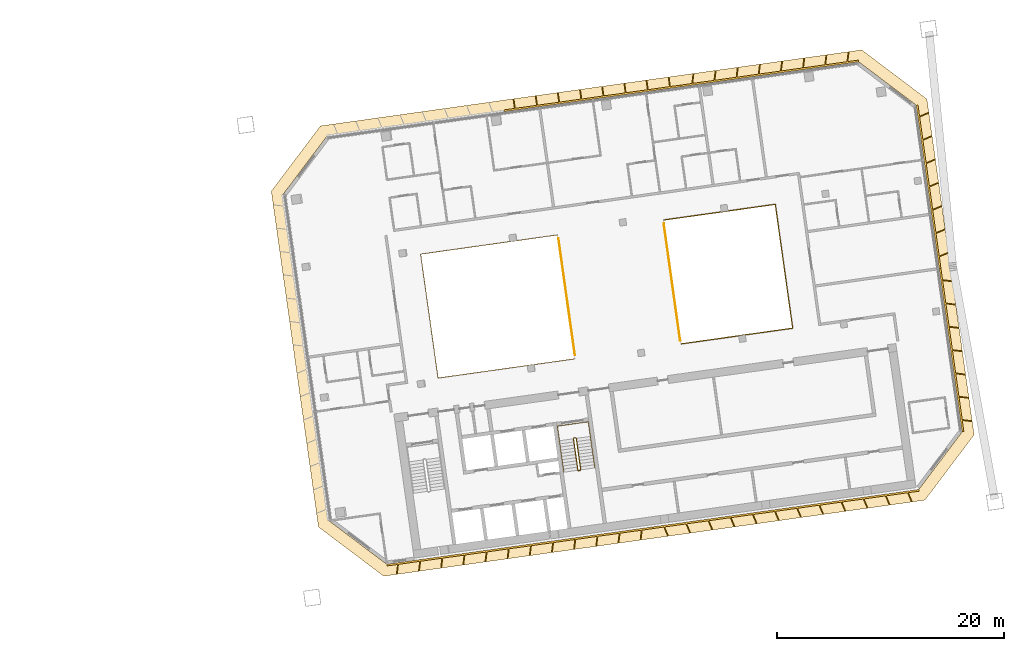
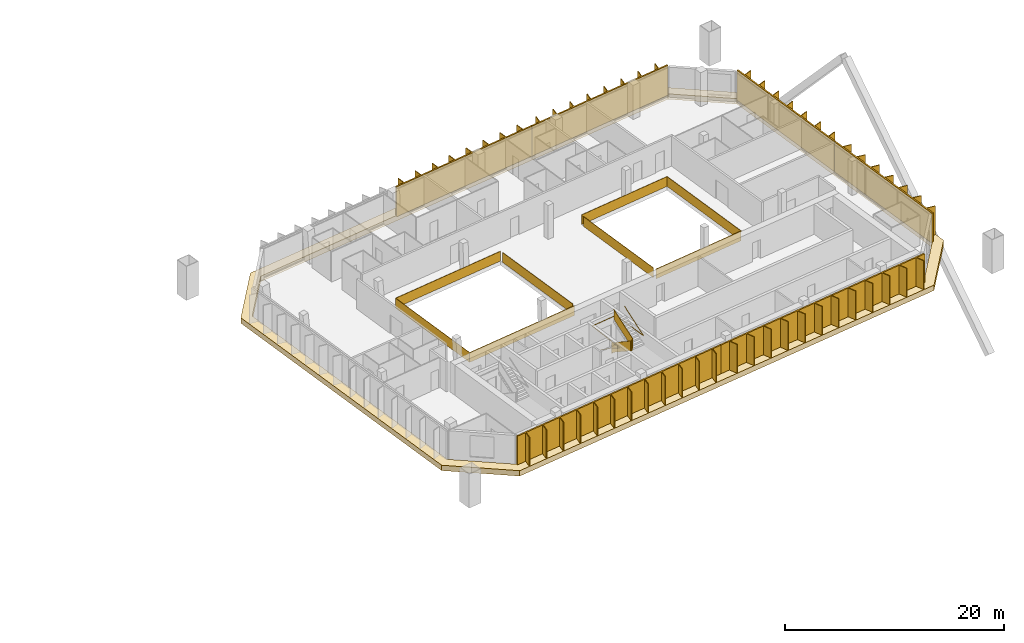
# One storey, part 23 of 23: 6 railings, 6 shading devices, 1 covering.
"""IFC4 building model written with IfcOpenShell, lengths in metres."""

from ifc_helpers import new_model, si_unit, direction, frame, origin, origin_2d, place, context, subcontext, project, spatial, polyline, rectangle, outline, extrude, material, layer, layer_set, type_object, element, save


model = new_model("IFC4")

# Units and contexts
model_context = context("Model", 3, precision=1e-05, world=origin(), true_north=direction((0.0, 1.0)))
body_context = subcontext(model_context, "Body", "Model", "MODEL_VIEW")
ifc_project = project(units=[si_unit("LENGTHUNIT", "METRE"), si_unit("AREAUNIT", "SQUARE_METRE"), si_unit("VOLUMEUNIT", "CUBIC_METRE"), si_unit("PLANEANGLEUNIT", "RADIAN"), si_unit("MASSUNIT", "GRAM", prefix="KILO")], contexts=[model_context])

# Site, building, storey
site_placement = place(None, origin())
site = spatial("IfcSite", under=ifc_project, at=site_placement, CompositionType="ELEMENT")
building_placement = place(site_placement, origin())
building = spatial("IfcBuilding", under=site, at=building_placement, Name="Mirante Cascada Hotel Towers", CompositionType="ELEMENT")
storey_placement = place(building_placement, frame((0.0, 0.0, 195.4)))
storey = spatial("IfcBuildingStorey", under=building, at=storey_placement, Name="L46", CompositionType="ELEMENT", Elevation=195.4)

# Railings
ifc_material_1 = material(Name="Toughened glass with stainless steel handrail", Category="steel")
railing_type_1 = type_object("IfcRailingType", Name="Atrium guard 1100 glass balustrade", PredefinedType="GUARDRAIL", material=ifc_material_1)
railing_1_placement = place(storey_placement, frame((49.889, 8.4699, 0.0)))
element("IfcRailing", 1, at=railing_1_placement, inside=storey, type_object=railing_type_1, Name="GUARD 2-L46-1", PredefinedType="GUARDRAIL", context=body_context, shape_type="SweptSolid", body=[
    extrude(rectangle(XDim=0.048, YDim=0.048, at=origin_2d()), frame((0.0, 0.0, 1.076), z_axis=(-0.9902682, -0.1391722, 0.0), x_axis=(0.1391722, -0.9902682, 0.0)), (0.0, 0.0, 1.0), 12.1526),
    extrude(rectangle(XDim=0.02, YDim=1.052, at=origin_2d()), frame((0.0, 0.0, 0.526), z_axis=(-0.9902682, -0.1391722, 0.0), x_axis=(0.1391722, -0.9902682, 0.0)), (0.0, 0.0, 1.0), 12.1526),
    extrude(rectangle(XDim=0.048, YDim=0.048, at=origin_2d()), frame((-12.0343, -1.6913, 1.076), z_axis=(0.1391721, -0.9902682, 0.0), x_axis=(0.9902682, 0.1391721, 0.0)), (0.0, 0.0, 1.0), 11.0001),
    extrude(rectangle(XDim=0.02, YDim=1.052, at=origin_2d()), frame((-12.0343, -1.6913, 0.526), z_axis=(0.1391721, -0.9902682, 0.0), x_axis=(0.9902682, 0.1391721, 0.0)), (0.0, 0.0, 1.0), 11.0001),
    extrude(rectangle(XDim=0.048, YDim=0.048, at=origin_2d()), frame((-10.5034, -12.5843, 1.076), z_axis=(0.9902671, 0.1391803, 0.0), x_axis=(-0.1391803, 0.9902671, 0.0)), (0.0, 0.0, 1.0), 12.1526),
    extrude(rectangle(XDim=0.02, YDim=1.052, at=origin_2d()), frame((-10.5034, -12.5843, 0.526), z_axis=(0.9902671, 0.1391803, 0.0), x_axis=(-0.1391803, 0.9902671, 0.0)), (0.0, 0.0, 1.0), 12.1526),
])
railing_2_placement = place(storey_placement, frame((60.7771, -1.108, 0.0)))
element("IfcRailing", 2, at=railing_2_placement, inside=storey, type_object=railing_type_1, Name="GUARD 2-L46-2", PredefinedType="GUARDRAIL", context=body_context, shape_type="SweptSolid", body=[
    extrude(rectangle(XDim=0.048, YDim=0.048, at=origin_2d()), frame((0.0, 0.0, 1.076), z_axis=(0.9902676, 0.1391763, 0.0), x_axis=(-0.1391763, 0.9902676, 0.0)), (0.0, 0.0, 1.0), 9.8982),
    extrude(rectangle(XDim=0.02, YDim=1.052, at=origin_2d()), frame((0.0, 0.0, 0.526), z_axis=(0.9902676, 0.1391763, 0.0), x_axis=(-0.1391763, 0.9902676, 0.0)), (0.0, 0.0, 1.0), 9.8982),
    extrude(rectangle(XDim=0.048, YDim=0.048, at=origin_2d()), frame((9.8019, 1.3776, 1.076), z_axis=(-0.1391733, 0.990268, 0.0), x_axis=(-0.990268, -0.1391733, 0.0)), (0.0, 0.0, 1.0), 11.0),
    extrude(rectangle(XDim=0.02, YDim=1.052, at=origin_2d()), frame((9.8019, 1.3776, 0.526), z_axis=(-0.1391733, 0.990268, 0.0), x_axis=(-0.990268, -0.1391733, 0.0)), (0.0, 0.0, 1.0), 11.0),
    extrude(rectangle(XDim=0.048, YDim=0.048, at=origin_2d()), frame((8.271, 12.2705, 1.076), z_axis=(-0.990269, -0.1391664, 0.0), x_axis=(0.1391664, -0.990269, 0.0)), (0.0, 0.0, 1.0), 9.8982),
    extrude(rectangle(XDim=0.02, YDim=1.052, at=origin_2d()), frame((8.271, 12.2705, 0.526), z_axis=(-0.990269, -0.1391664, 0.0), x_axis=(0.1391664, -0.990269, 0.0)), (0.0, 0.0, 1.0), 9.8982),
])
railing_3_placement = place(storey_placement, frame((51.4273, -2.1235, 0.0)))
element("IfcRailing", 3, at=railing_3_placement, inside=storey, type_object=railing_type_1, Name="GUARD 2-L46-3", PredefinedType="GUARDRAIL", context=body_context, shape_type="SweptSolid", body=[
    extrude(rectangle(XDim=0.048, YDim=0.048, at=origin_2d()), frame((0.0, 0.0, 1.076), z_axis=(-0.1391708, 0.9902684, 0.0), x_axis=(-0.9902684, -0.1391708, 0.0)), (0.0, 0.0, 1.0), 10.4088),
    extrude(rectangle(XDim=0.02, YDim=1.052, at=origin_2d()), frame((0.0, 0.0, 0.526), z_axis=(-0.1391708, 0.9902684, 0.0), x_axis=(-0.9902684, -0.1391708, 0.0)), (0.0, 0.0, 1.0), 10.4088),
])
railing_4_placement = place(storey_placement, frame((59.2388, 9.4854, 0.0)))
element("IfcRailing", 4, at=railing_4_placement, inside=storey, type_object=railing_type_1, Name="GUARD 2-L46-4", PredefinedType="GUARDRAIL", context=body_context, shape_type="SweptSolid", body=[
    extrude(rectangle(XDim=0.048, YDim=0.048, at=origin_2d()), frame((0.0, 0.0, 1.076), z_axis=(0.1391721, -0.9902682, 0.0), x_axis=(0.9902682, 0.1391721, 0.0)), (0.0, 0.0, 1.0), 10.4087),
    extrude(rectangle(XDim=0.02, YDim=1.052, at=origin_2d()), frame((0.0, 0.0, 0.526), z_axis=(0.1391721, -0.9902682, 0.0), x_axis=(0.9902682, 0.1391721, 0.0)), (0.0, 0.0, 1.0), 10.4087),
])

# Covering
ifc_material_2 = material(Name="Precast concrete C40/50 white", Category="concrete")
ifc_layer = layer(ifc_material_2, 0.6)
ifc_layer_set = layer_set([ifc_layer], Name="Precast concrete SUNSHADE band 1000x600")
covering_type = type_object("IfcCoveringType", Name="Precast concrete SUNSHADE band 1000x600", PredefinedType="CLADDING", material=ifc_layer_set)
covering_placement = place(storey_placement, frame((0.0, 0.0, -0.45)))
element("IfcCovering", 5, at=covering_placement, inside=storey, type_object=covering_type, Name="Precast concrete SUNSHADE band T2 L46", PredefinedType="CLADDING", context=body_context, shape_type="SweptSolid", body=[
    extrude(outline(polyline([(24.7102, 12.3174), (29.0387, 18.0615), (76.645, 24.7521), (82.3891, 20.4236), (86.5404, -9.1145), (82.2119, -14.8586), (34.6056, -21.5493), (28.8615, -17.2208), (24.7102, 12.3174)]), holes=[polyline([(85.4925, -8.8435), (81.4565, 19.8742), (76.374, 23.7042), (29.5881, 17.1288), (25.7581, 12.0463), (29.7942, -16.6714), (34.8766, -20.5014), (81.6626, -13.926), (85.4925, -8.8435)])]), origin(), (0.0, 0.0, 1.0), 0.6),
])

# Railings
ifc_material_3 = material(Name="Painted steel", Category="steel")
railing_type_2 = type_object("IfcRailingType", Name="Stair guard 1100 steel balustrade", PredefinedType="GUARDRAIL", material=ifc_material_3)
railing_5_placement = place(storey_placement, frame((51.4864, -9.3815, 0.0)))
element("IfcRailing", 6, at=railing_5_placement, inside=storey, type_object=railing_type_2, Name="L46 ST2-B stair guard 1", PredefinedType="GUARDRAIL", context=body_context, shape_type="SweptSolid", body=[
    extrude(rectangle(XDim=0.048, YDim=0.048, at=origin_2d()), frame((0.0, 0.0, 1.076), z_axis=(-0.9902408, -0.1393672, 0.0), x_axis=(0.1393672, -0.9902408, 0.0)), (0.0, 0.0, 1.0), 0.15),
    extrude(rectangle(XDim=0.02, YDim=1.052, at=origin_2d()), frame((0.0, 0.0, 0.526), z_axis=(-0.9902408, -0.1393672, 0.0), x_axis=(0.1393672, -0.9902408, 0.0)), (0.0, 0.0, 1.0), 0.15),
    extrude(rectangle(XDim=0.048, YDim=0.048, at=origin_2d()), frame((-0.1485, -0.0209, 1.076), z_axis=(-0.6020331, -0.7984711, 0.0), x_axis=(0.7984711, -0.6020331, 0.0)), (0.0, 0.9253398, 0.3791387), 0.1866),
    extrude(rectangle(XDim=0.02, YDim=1.052, at=origin_2d()), frame((-0.1485, -0.0209, 0.526), z_axis=(-0.6020331, -0.7984711, 0.0), x_axis=(0.7984711, -0.6020331, 0.0)), (0.0, 0.9253398, 0.3791387), 0.1866),
    extrude(rectangle(XDim=0.048, YDim=0.048, at=origin_2d()), frame((-0.1911, -0.0774, 1.2487), z_axis=(0.139181, -0.990267, 0.0), x_axis=(0.990267, 0.139181, 0.0)), (0.0, 0.5250347, 0.8510808), 3.2899),
    extrude(rectangle(XDim=0.02, YDim=1.052, at=origin_2d()), frame((-0.1911, -0.0774, 0.6987), z_axis=(0.139181, -0.990267, 0.0), x_axis=(0.990267, 0.139181, 0.0)), (0.0, 0.5250347, 0.8510808), 3.2899),
    extrude(rectangle(XDim=0.048, YDim=0.048, at=origin_2d()), frame((0.1986, -2.8501, 2.976), z_axis=(0.9944441, -0.1052656, 0.0), x_axis=(0.1052656, 0.9944441, 0.0)), (0.0, 0.0, 1.0), 0.2061),
    extrude(rectangle(XDim=0.02, YDim=1.052, at=origin_2d()), frame((0.1986, -2.8501, 2.426), z_axis=(0.9944441, -0.1052656, 0.0), x_axis=(0.1052656, 0.9944441, 0.0)), (0.0, 0.0, 1.0), 0.2061),
    extrude(rectangle(XDim=0.048, YDim=0.048, at=origin_2d()), frame((0.4036, -2.8718, 2.976), z_axis=(-0.9902408, -0.1393672, 0.0), x_axis=(0.1393672, -0.9902408, 0.0)), (0.0, 0.0, 1.0), 0.15),
    extrude(rectangle(XDim=0.02, YDim=1.052, at=origin_2d()), frame((0.4036, -2.8718, 2.426), z_axis=(-0.9902408, -0.1393672, 0.0), x_axis=(0.1393672, -0.9902408, 0.0)), (0.0, 0.0, 1.0), 0.15),
    extrude(rectangle(XDim=0.048, YDim=0.048, at=origin_2d()), frame((0.2551, -2.8927, 2.976), z_axis=(0.9268624, 0.3754011, 0.0), x_axis=(-0.3754011, 0.9268624, 0.0)), (0.0, 0.6421217, 0.7666028), 0.269),
    extrude(rectangle(XDim=0.02, YDim=1.052, at=origin_2d()), frame((0.2551, -2.8927, 2.426), z_axis=(0.9268624, 0.3754011, 0.0), x_axis=(-0.3754011, 0.9268624, 0.0)), (0.0, 0.6421217, 0.7666028), 0.269),
    extrude(rectangle(XDim=0.048, YDim=0.048, at=origin_2d()), frame((0.4462, -2.8153, 3.1487), z_axis=(-0.139181, 0.990267, 0.0), x_axis=(-0.990267, -0.139181, 0.0)), (0.0, 0.5250347, 0.8510808), 3.2899),
    extrude(rectangle(XDim=0.02, YDim=1.052, at=origin_2d()), frame((0.4462, -2.8153, 2.5987), z_axis=(-0.139181, 0.990267, 0.0), x_axis=(-0.990267, -0.139181, 0.0)), (0.0, 0.5250347, 0.8510808), 3.2899),
])
ifc_material_4 = material(Name="Painted steel", Category="steel")
railing_type_3 = type_object("IfcRailingType", Name="Stair handrail 900 steel tube", PredefinedType="HANDRAIL", material=ifc_material_4)
railing_6_placement = place(storey_placement, frame((50.0575, -9.6328, 0.1727)))
element("IfcRailing", 7, at=railing_6_placement, inside=storey, type_object=railing_type_3, Name="L46 ST2-B stair handrail 1", PredefinedType="HANDRAIL", context=body_context, shape_type="SweptSolid", body=[
    extrude(rectangle(XDim=0.048, YDim=0.048, at=origin_2d()), frame((0.0, 0.0, 0.876), z_axis=(0.139176, -0.9902677, 0.0), x_axis=(0.9902677, 0.139176, 0.0)), (0.0, 0.5250212, 0.8510891), 3.29),
    extrude(rectangle(XDim=0.048, YDim=0.048, at=origin_2d()), frame((0.3897, -2.7728, 2.6033), z_axis=(-0.1391707, 0.9902684, 0.0), x_axis=(-0.9902684, -0.1391707, 0.0)), (0.0, 0.0420846, 0.999114), 4.1036),
    extrude(rectangle(XDim=0.048, YDim=0.048, at=origin_2d()), frame((-0.1809, 1.2873, 2.776), z_axis=(0.9902641, 0.1392013, 0.0), x_axis=(-0.1392013, 0.9902641, 0.0)), (0.0, 0.0, 1.0), 2.75),
    extrude(rectangle(XDim=0.048, YDim=0.048, at=origin_2d()), frame((2.5423, 1.6701, 2.776), z_axis=(0.1391707, -0.9902684, 0.0), x_axis=(0.9902684, 0.1391707, 0.0)), (0.0, 0.0, 1.0), 4.1),
    extrude(rectangle(XDim=0.048, YDim=0.048, at=origin_2d()), frame((3.1129, -2.39, 2.776), z_axis=(-0.139181, 0.990267, 0.0), x_axis=(-0.990267, -0.139181, 0.0)), (0.0, 0.5250347, 0.8510808), 3.2899),
])

# Shading devices
ifc_material_5 = material(Name="White precast concrete C50/60 fin", Category="concrete")
shading_device_type = type_object("IfcShadingDeviceType", Name="Vertical fin set 4500x900", PredefinedType="USERDEFINED", material=ifc_material_5)
shading_device_1_placement = place(storey_placement, origin())
element("IfcShadingDevice", 8, at=shading_device_1_placement, inside=storey, type_object=shading_device_type, Name="FIN T2 L46 front 1", ObjectType="FIN", PredefinedType="USERDEFINED", context=body_context, shape_type="SweptSolid", body=[
    extrude(outline(polyline([(61.8888, 22.6368), (61.7868, 21.8055), (63.6542, 22.068), (63.7589, 22.9205), (63.8383, 22.9108), (63.7362, 22.0795), (65.6036, 22.342), (65.7083, 23.1945), (65.7877, 23.1848), (65.6856, 22.3535), (67.553, 22.6159), (67.6577, 23.4685), (67.7371, 23.4587), (67.635, 22.6275), (69.5024, 22.8899), (69.6071, 23.7425), (69.6865, 23.7327), (69.5844, 22.9014), (71.4518, 23.1639), (71.5565, 24.0164), (71.6359, 24.0067), (71.5338, 23.1754), (73.4012, 23.4378), (73.5059, 24.2904), (73.5853, 24.2806), (73.4833, 23.4494), (75.3507, 23.7118), (75.4553, 24.5644), (75.5347, 24.5546), (75.4327, 23.7233), (76.3531, 23.8527), (76.374, 23.7042), (60.7787, 21.5124), (60.7578, 21.6609), (61.7048, 21.794), (61.8094, 22.6466), (61.8888, 22.6368)])), origin(), (0.0, 0.0, 1.0), 3.35),
])
shading_device_2_placement = place(storey_placement, origin())
element("IfcShadingDevice", 9, at=shading_device_2_placement, inside=storey, type_object=shading_device_type, Name="FIN T2 L46 front 2", ObjectType="FIN", PredefinedType="USERDEFINED", context=body_context, shape_type="SweptSolid", body=[
    extrude(outline(polyline([(46.0585, 20.4534), (46.1768, 19.6117), (48.047, 19.8745), (47.9287, 20.7163), (48.0079, 20.7274), (48.1262, 19.8857), (49.9964, 20.1485), (49.8781, 20.9902), (49.9573, 21.0014), (50.0756, 20.1596), (51.9458, 20.4225), (51.8275, 21.2642), (51.9068, 21.2753), (52.025, 20.4336), (53.8952, 20.6965), (53.7769, 21.5382), (53.8562, 21.5493), (53.9745, 20.7076), (55.8447, 20.9704), (55.7264, 21.8122), (55.8056, 21.8233), (55.9239, 20.9816), (57.7941, 21.2444), (57.6758, 22.0861), (57.755, 22.0973), (57.8733, 21.2555), (59.7435, 21.5184), (59.6252, 22.3601), (59.7044, 22.3712), (59.8227, 21.5295), (60.7578, 21.6609), (60.7787, 21.5124), (45.1834, 19.3206), (45.1625, 19.4691), (46.0976, 19.6006), (45.9793, 20.4423), (46.0585, 20.4534)])), origin(), (0.0, 0.0, 1.0), 3.35),
])
shading_device_3_placement = place(storey_placement, origin())
element("IfcShadingDevice", 10, at=shading_device_3_placement, inside=storey, type_object=shading_device_type, Name="FIN T2 L46 outer 1", ObjectType="FIN", PredefinedType="USERDEFINED", context=body_context, shape_type="SweptSolid", body=[
    extrude(outline(polyline([(86.3358, -7.9534), (85.5045, -7.8513), (85.641, -8.8227), (85.4925, -8.8435), (83.4745, 5.5153), (83.623, 5.5362), (83.7633, 4.5383), (84.6158, 4.4336), (84.6061, 4.3542), (83.7748, 4.4563), (84.0515, 2.4871), (84.9041, 2.3824), (84.8943, 2.303), (84.0631, 2.405), (84.3398, 0.4358), (85.1924, 0.3311), (85.1826, 0.2517), (84.3514, 0.3538), (84.6281, -1.6155), (85.4807, -1.7202), (85.4709, -1.7996), (84.6396, -1.6975), (84.9164, -3.6667), (85.769, -3.7714), (85.7592, -3.8508), (84.9279, -3.7488), (85.2047, -5.718), (86.0572, -5.8227), (86.0475, -5.9021), (85.2162, -5.8), (85.493, -7.7693), (86.3455, -7.874), (86.3358, -7.9534)])), origin(), (0.0, 0.0, 1.0), 3.35),
])
shading_device_4_placement = place(storey_placement, origin())
element("IfcShadingDevice", 11, at=shading_device_4_placement, inside=storey, type_object=shading_device_type, Name="FIN T2 L46 outer 2", ObjectType="FIN", PredefinedType="USERDEFINED", context=body_context, shape_type="SweptSolid", body=[
    extrude(outline(polyline([(84.2734, 6.8697), (83.4828, 6.5341), (83.623, 5.5362), (83.4745, 5.5153), (81.4565, 19.8742), (81.605, 19.8951), (81.7415, 18.9238), (82.5125, 19.251), (82.5437, 19.1774), (81.753, 18.8417), (82.0298, 16.8725), (82.8007, 17.1997), (82.832, 17.1261), (82.0413, 16.7905), (82.3181, 14.8212), (83.089, 15.1485), (83.1203, 15.0748), (82.3296, 14.7392), (82.6064, 12.7699), (83.3773, 13.0972), (83.4086, 13.0235), (82.6179, 12.6879), (82.8947, 10.7187), (83.6656, 11.0459), (83.6969, 10.9723), (82.9062, 10.6367), (83.183, 8.6674), (83.9539, 8.9946), (83.9852, 8.921), (83.1945, 8.5854), (83.4712, 6.6161), (84.2422, 6.9434), (84.2734, 6.8697)])), origin(), (0.0, 0.0, 1.0), 3.35),
])
shading_device_5_placement = place(storey_placement, origin())
element("IfcShadingDevice", 12, at=shading_device_5_placement, inside=storey, type_object=shading_device_type, Name="FIN T2 L46 rear 1", ObjectType="FIN", PredefinedType="USERDEFINED", context=body_context, shape_type="SweptSolid", body=[
    extrude(outline(polyline([(35.7159, -21.3518), (35.8179, -20.5205), (34.8975, -20.6499), (34.8766, -20.5014), (58.2696, -17.2137), (58.2905, -17.3622), (57.3435, -17.4953), (57.2388, -18.3479), (57.1594, -18.3381), (57.2615, -17.5068), (55.3941, -17.7693), (55.2894, -18.6218), (55.21, -18.6121), (55.3121, -17.7808), (53.4447, -18.0433), (53.34, -18.8958), (53.2606, -18.8861), (53.3627, -18.0548), (51.4953, -18.3172), (51.3906, -19.1698), (51.3112, -19.16), (51.4133, -18.3288), (49.5459, -18.5912), (49.4412, -19.4438), (49.3618, -19.434), (49.4638, -18.6027), (47.5964, -18.8652), (47.4918, -19.7177), (47.4124, -19.708), (47.5144, -18.8767), (45.647, -19.1392), (45.5423, -19.9917), (45.4629, -19.982), (45.565, -19.1507), (43.6976, -19.4131), (43.5929, -20.2657), (43.5135, -20.2559), (43.6156, -19.4247), (41.7482, -19.6871), (41.6435, -20.5396), (41.5641, -20.5299), (41.6662, -19.6986), (39.7988, -19.9611), (39.6941, -20.8136), (39.6147, -20.8039), (39.7168, -19.9726), (37.8494, -20.235), (37.7447, -21.0876), (37.6653, -21.0778), (37.7674, -20.2466), (35.9, -20.509), (35.7953, -21.3616), (35.7159, -21.3518)])), origin(), (0.0, 0.0, 1.0), 3.35),
])
shading_device_6_placement = place(storey_placement, origin())
element("IfcShadingDevice", 13, at=shading_device_6_placement, inside=storey, type_object=shading_device_type, Name="FIN T2 L46 rear 2", ObjectType="FIN", PredefinedType="USERDEFINED", context=body_context, shape_type="SweptSolid", body=[
    extrude(outline(polyline([(59.5731, -18.0198), (59.2374, -17.2291), (58.2905, -17.3622), (58.2696, -17.2137), (81.6626, -13.926), (81.6834, -14.0746), (80.763, -14.2039), (81.0902, -14.9749), (81.0166, -15.0061), (80.681, -14.2154), (78.8136, -14.4779), (79.1408, -15.2488), (79.0672, -15.2801), (78.7316, -14.4894), (76.8642, -14.7519), (77.1914, -15.5228), (77.1178, -15.5541), (76.7822, -14.7634), (74.9148, -15.0258), (75.242, -15.7968), (75.1684, -15.828), (74.8327, -15.0374), (72.9653, -15.2998), (73.2926, -16.0708), (73.219, -16.102), (72.8833, -15.3113), (71.0159, -15.5738), (71.3432, -16.3447), (71.2695, -16.376), (70.9339, -15.5853), (69.0665, -15.8478), (69.3938, -16.6187), (69.3201, -16.65), (68.9845, -15.8593), (67.1171, -16.1217), (67.4444, -16.8927), (67.3707, -16.9239), (67.0351, -16.1333), (65.1677, -16.3957), (65.4949, -17.1666), (65.4213, -17.1979), (65.0857, -16.4072), (63.2183, -16.6697), (63.5455, -17.4406), (63.4719, -17.4719), (63.1363, -16.6812), (61.2689, -16.9436), (61.5961, -17.7146), (61.5225, -17.7458), (61.1869, -16.9552), (59.3195, -17.2176), (59.6467, -17.9886), (59.5731, -18.0198)])), origin(), (0.0, 0.0, 1.0), 3.35),
])

save(model, "model.ifc")
